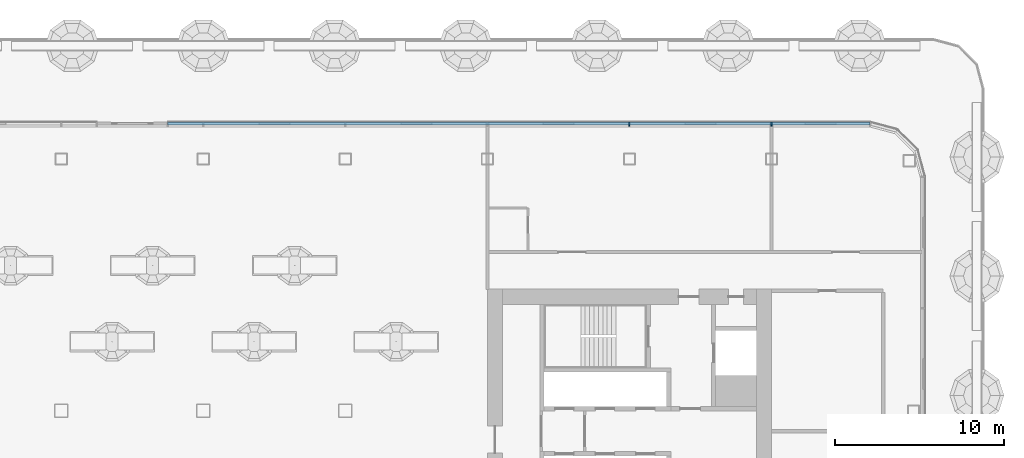
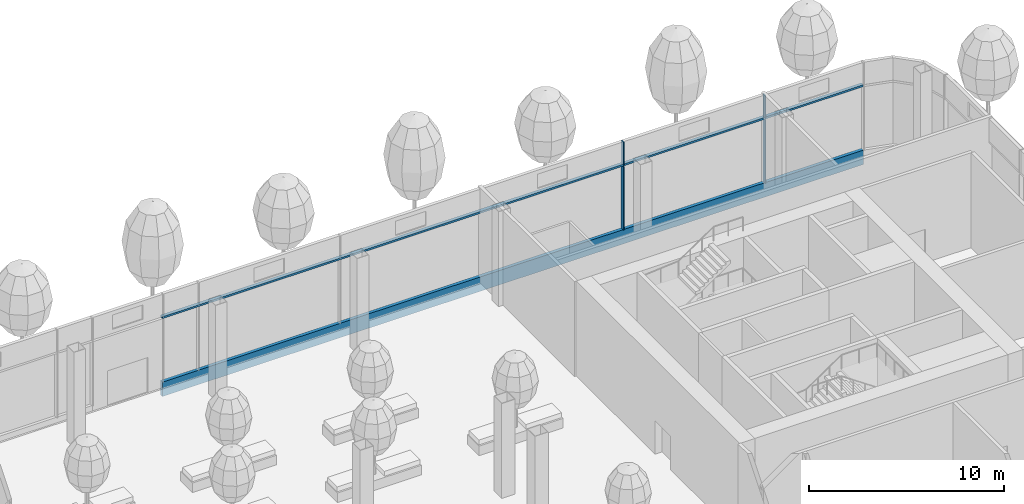
# One storey, part 9 of 43: 6 members, 1 element without a shape of its own.
"""IFC4 building model written with IfcOpenShell, lengths in metres."""

from ifc_helpers import new_model, si_unit, direction, frame, origin, origin_2d, place, context, subcontext, project, spatial, rectangle, extrude, material, layer, layer_set, material_profile, profile_set, type_object, element, aggregate, save


model = new_model("IFC4")

# Units and contexts
model_context = context("Model", 3, precision=1e-05, world=origin(), true_north=direction((0.0, 1.0)))
body_context = subcontext(model_context, "Body", "Model", "MODEL_VIEW")
ifc_project = project(units=[si_unit("LENGTHUNIT", "METRE"), si_unit("AREAUNIT", "SQUARE_METRE"), si_unit("VOLUMEUNIT", "CUBIC_METRE"), si_unit("PLANEANGLEUNIT", "RADIAN"), si_unit("MASSUNIT", "GRAM", prefix="KILO")], contexts=[model_context])

# Site, building, storey
site_placement = place(None, origin())
site = spatial("IfcSite", under=ifc_project, at=site_placement, CompositionType="ELEMENT")
building_placement = place(site_placement, origin())
building = spatial("IfcBuilding", under=site, at=building_placement, Name="Hakoniwa Tower and Hamabe Station Hall", CompositionType="ELEMENT")
storey_placement = place(building_placement, frame((0.0, 0.0, 124.60009765625)))
storey = spatial("IfcBuildingStorey", under=building, at=storey_placement, Name="L35", CompositionType="ELEMENT", Elevation=124.60009765625)

# Curtain wall, members
ifc_material_1 = material(Name="Dark low-e laminated glass", Category="glass")
ifc_layer = layer(ifc_material_1, 0.199951171875)
ifc_layer_set = layer_set([ifc_layer], Name="CW-2 SKY GARDEN")
curtain_wall_type = type_object("IfcCurtainWallType", Name="CW-2 SKY GARDEN", PredefinedType="NOTDEFINED", material=ifc_layer_set)
curtain_wall_placement = place(storey_placement, origin())
curtain_wall = element("IfcCurtainWall", 1, at=curtain_wall_placement, inside=storey, type_object=curtain_wall_type, Name="CW-2 curtain wall", PredefinedType="NOTDEFINED")
ifc_material_2 = material(Name="Aluminium 6063-T5 black anodised", Category="aluminium")
ifc_material_profile_1 = material_profile(ifc_material_2, rectangle(XDim=0.199951171875, YDim=0.1201171875, at=origin_2d()), Name="CW MID TRANSOM 120X200")
ifc_profile_set_1 = profile_set([ifc_material_profile_1], Name="Aluminium 6063-T5 black anodised")
member_type_1 = type_object("IfcMemberType", Name="CW MID TRANSOM 120X200", PredefinedType="USERDEFINED", material=ifc_profile_set_1)
member_1_placement = place(storey_placement, frame((39.439453125, 18.199951171875, 4.389892578125), z_axis=(-1.0, 0.0, 0.0), x_axis=(0.0, -1.0, 0.0)))
member_1 = element("IfcMember", 2, at=member_1_placement, type_object=member_type_1, Name="CW-2 transom", ObjectType="TRANSOM", PredefinedType="USERDEFINED", context=body_context, shape_type="SweptSolid", body=[
    extrude(rectangle(XDim=0.199951171875, YDim=0.1201171875, at=origin_2d()), origin(), (0.0, 0.0, 1.0), 41.5693359375),
])
ifc_material_3 = material(Name="Aluminium 6063-T5 black anodised", Category="aluminium")
ifc_material_profile_2 = material_profile(ifc_material_3, rectangle(XDim=0.199951171875, YDim=0.89990234375, at=origin_2d()), Name="CW SLAB-EDGE BAND 900X200")
ifc_profile_set_2 = profile_set([ifc_material_profile_2], Name="Aluminium 6063-T5 black anodised")
member_type_2 = type_object("IfcMemberType", Name="CW SLAB-EDGE BAND 900X200", PredefinedType="USERDEFINED", material=ifc_profile_set_2)
member_2_placement = place(storey_placement, frame((39.439453125, 18.199951171875, -0.10009765625), z_axis=(-1.0, 0.0, 0.0), x_axis=(0.0, -1.0, 0.0)))
member_2 = element("IfcMember", 3, at=member_2_placement, type_object=member_type_2, Name="CW-2 transom", ObjectType="TRANSOM", PredefinedType="USERDEFINED", context=body_context, shape_type="SweptSolid", body=[
    extrude(rectangle(XDim=0.199951171875, YDim=0.89990234375, at=origin_2d()), origin(), (0.0, 0.0, 1.0), 41.5693359375),
])
ifc_material_4 = material(Name="Aluminium 6063-T5 black anodised", Category="aluminium")
ifc_material_profile_3 = material_profile(ifc_material_4, rectangle(XDim=0.06005859375, YDim=0.239990234375, at=origin_2d()), Name="CW-2 MULLION 60X240")
ifc_profile_set_3 = profile_set([ifc_material_profile_3], Name="Aluminium 6063-T5 black anodised")
member_type_3 = type_object("IfcMemberType", Name="CW-2 MULLION 60X240", PredefinedType="MULLION", material=ifc_profile_set_3)
member_3_placement = place(storey_placement, frame((33.60009765625, 18.152099609375, 0.349853515625), z_axis=(0.0, 0.0, 1.0), x_axis=(-1.0, 0.0, 0.0)))
member_3 = element("IfcMember", 4, at=member_3_placement, type_object=member_type_3, Name="CW-2 mullion", PredefinedType="MULLION", context=body_context, shape_type="SweptSolid", body=[
    extrude(rectangle(XDim=0.06005859375, YDim=0.239990234375, at=origin_2d()), origin(), (0.0, 0.0, 1.0), 3.97998046875),
])
member_4_placement = place(storey_placement, frame((33.60009765625, 18.152099609375, 4.449951171875), z_axis=(0.0, 0.0, 1.0), x_axis=(-1.0, 0.0, 0.0)))
member_4 = element("IfcMember", 5, at=member_4_placement, type_object=member_type_3, Name="CW-2 mullion", PredefinedType="MULLION", context=body_context, shape_type="SweptSolid", body=[
    extrude(rectangle(XDim=0.06005859375, YDim=0.239990234375, at=origin_2d()), origin(), (0.0, 0.0, 1.0), 1.39990234375),
])
member_5_placement = place(storey_placement, frame((25.199951171875, 18.152099609375, 0.349853515625), z_axis=(0.0, 0.0, 1.0), x_axis=(-1.0, 0.0, 0.0)))
member_5 = element("IfcMember", 6, at=member_5_placement, type_object=member_type_3, Name="CW-2 mullion", PredefinedType="MULLION", context=body_context, shape_type="SweptSolid", body=[
    extrude(rectangle(XDim=0.06005859375, YDim=0.239990234375, at=origin_2d()), origin(), (0.0, 0.0, 1.0), 3.97998046875),
])
member_6_placement = place(storey_placement, frame((25.199951171875, 18.152099609375, 4.449951171875), z_axis=(0.0, 0.0, 1.0), x_axis=(-1.0, 0.0, 0.0)))
member_6 = element("IfcMember", 7, at=member_6_placement, type_object=member_type_3, Name="CW-2 mullion", PredefinedType="MULLION", context=body_context, shape_type="SweptSolid", body=[
    extrude(rectangle(XDim=0.06005859375, YDim=0.239990234375, at=origin_2d()), origin(), (0.0, 0.0, 1.0), 1.39990234375),
])
aggregate(curtain_wall, [member_3, member_4, member_5, member_6, member_2, member_1])

save(model, "model.ifc")
